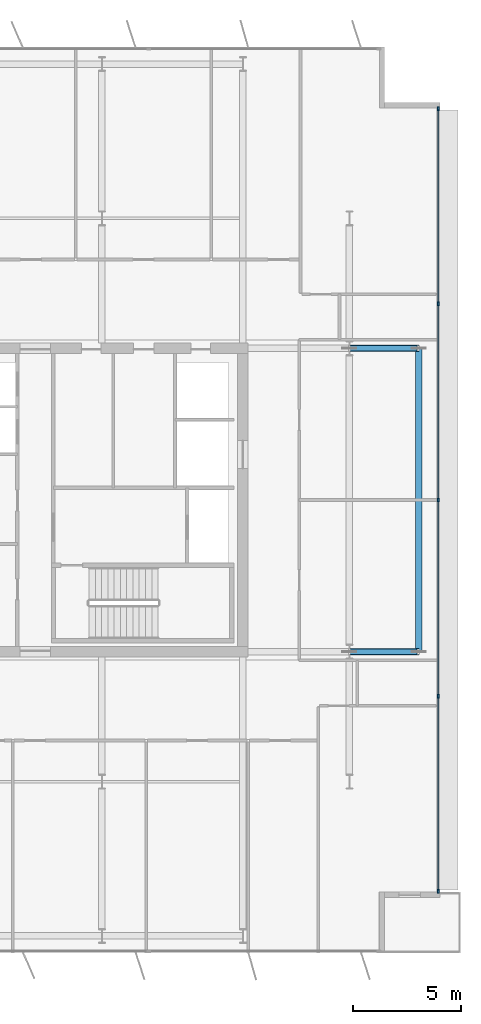
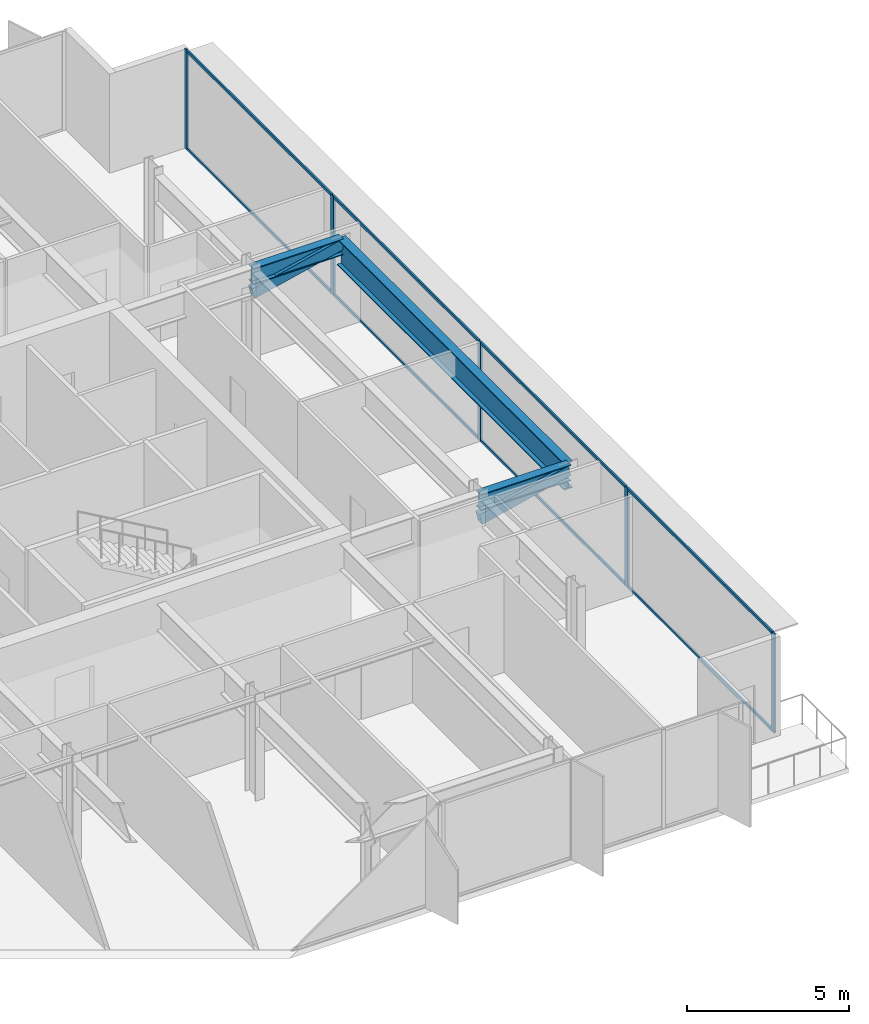
# One storey, part 10 of 20: 15 members, 3 beams, 1 element without a shape of its own.
"""IFC4 building model written with IfcOpenShell, lengths in metres."""

from ifc_helpers import new_model, si_unit, direction, frame, origin, origin_2d, place, context, subcontext, project, spatial, rectangle, hollow_rectangle, i_section, extrude, material, layer, layer_set, material_profile, profile_set, type_object, element, aggregate, save


model = new_model("IFC4")

# Units and contexts
model_context = context("Model", 3, precision=1e-05, world=origin(), true_north=direction((0.0, 1.0)))
body_context = subcontext(model_context, "Body", "Model", "MODEL_VIEW")
ifc_project = project(units=[si_unit("LENGTHUNIT", "METRE"), si_unit("AREAUNIT", "SQUARE_METRE"), si_unit("VOLUMEUNIT", "CUBIC_METRE"), si_unit("PLANEANGLEUNIT", "RADIAN"), si_unit("MASSUNIT", "GRAM", prefix="KILO")], contexts=[model_context])

# Site, building, storey
site_placement = place(None, origin())
site = spatial("IfcSite", under=ifc_project, at=site_placement, CompositionType="ELEMENT")
building_placement = place(site_placement, origin())
building = spatial("IfcBuilding", under=site, at=building_placement, Name="Putna Gate Headquarters", CompositionType="ELEMENT")
storey_placement = place(building_placement, frame((0.0, 0.0, 306.39990234375)))
storey = spatial("IfcBuildingStorey", under=building, at=storey_placement, Name="L77", CompositionType="ELEMENT", Elevation=306.39990234375)

# Beams
ifc_material_1 = material(Name="Steel S355J2", Category="steel")
ifc_material_profile_1 = material_profile(ifc_material_1, i_section(OverallWidth=0.300048828125, OverallDepth=0.60009765625, WebThickness=0.015380859375, FlangeThickness=0.030029296875, at=origin_2d()), Name="Steel S355J2")
ifc_profile_set_1 = profile_set([ifc_material_profile_1], Name="Steel S355J2")
beam_type_1 = type_object("IfcBeamType", Name="BM-GIRD-SAIL-HEB600", PredefinedType="USERDEFINED", material=ifc_profile_set_1)
for number, where, z_axis, x_axis, name in (
    (1, (69.926025390625, 19.0, 3.420166015625), (1.0, 0.0, 0.0), (0.0, 1.0, 0.0), "L77 East Sail Outrigger Bracket Y19"),
    (2, (69.926025390625, 33.0, 3.420166015625), (1.0, 0.0, 0.0), (0.0, 1.0, 0.0), "L77 East Sail Outrigger Bracket Y33"),
):
    element("IfcBeam", number, at=place(storey_placement, frame(where, z_axis=z_axis, x_axis=x_axis)), inside=storey, type_object=beam_type_1, Name=name, ObjectType="GIRDER", PredefinedType="USERDEFINED", context=body_context, shape_type="SweptSolid", body=[
        extrude(i_section(OverallWidth=0.300048828125, OverallDepth=0.60009765625, WebThickness=0.015380859375, FlangeThickness=0.030029296875, at=origin_2d()), origin(), (0.0, 0.0, 1.0), 3.194091796875),
    ])
ifc_material_2 = material(Name="Steel S460M", Category="steel")
ifc_material_profile_2 = material_profile(ifc_material_2, i_section(OverallWidth=0.302001953125, OverallDepth=1.008056640625, WebThickness=0.02099609375, FlangeThickness=0.0400390625, at=origin_2d()), Name="Steel S460M")
ifc_profile_set_2 = profile_set([ifc_material_profile_2], Name="Steel S460M")
beam_type_2 = type_object("IfcBeamType", Name="BM-TG-HEM1000-EXT", PredefinedType="USERDEFINED", material=ifc_profile_set_2)
beam_placement = place(storey_placement, frame((73.1201171875, 19.02001953125, 3.216064453125), z_axis=(0.0, 1.0, 0.0), x_axis=(-1.0, 0.0, 0.0)))
element("IfcBeam", 3, at=beam_placement, inside=storey, type_object=beam_type_2, Name="L77 East Sail Edge Spandrel", ObjectType="GIRDER", PredefinedType="USERDEFINED", context=body_context, shape_type="SweptSolid", body=[
    extrude(i_section(OverallWidth=0.302001953125, OverallDepth=1.008056640625, WebThickness=0.02099609375, FlangeThickness=0.0400390625, at=origin_2d()), origin(), (0.0, 0.0, 1.0), 13.9599609375),
])

# Members
ifc_material_profile_3 = material_profile(ifc_material_2, hollow_rectangle(XDim=0.25, YDim=0.39990234375, WallThickness=0.01611328125, at=origin_2d()), Name="Steel S460M")
ifc_profile_set_3 = profile_set([ifc_material_profile_3], Name="Steel S460M")
member_type_1 = type_object("IfcMemberType", Name="MEM-SAIL-BRACE-RHS400", PredefinedType="BRACE", material=ifc_profile_set_3)
for number, where, z_axis, x_axis, name in (
    (4, (69.9345703125, 19.0, 2.754638671875), (0.973528659294, 0.0, 0.228564978801), (0.0, 1.0, 0.0), "L77 East Sail Cantilever Raker Y19"),
    (5, (69.9345703125, 33.0, 2.754638671875), (0.973528659294, 0.0, 0.228564978801), (0.0, 1.0, 0.0), "L77 East Sail Cantilever Raker Y33"),
):
    element("IfcMember", number, at=place(storey_placement, frame(where, z_axis=z_axis, x_axis=x_axis)), inside=storey, type_object=member_type_1, Name=name, PredefinedType="BRACE", context=body_context, shape_type="SweptSolid", body=[
        extrude(hollow_rectangle(XDim=0.25, YDim=0.39990234375, WallThickness=0.01611328125, at=origin_2d()), origin(), (0.0, 0.0, 1.0), 3.24169921875),
    ])

# Curtain wall, members
ifc_material_3 = material(Name="Anodised bronze aluminium curtain wall", Category="aluminium")
ifc_layer = layer(ifc_material_3, 0.179931640625)
ifc_layer_set = layer_set([ifc_layer], Name="Anodised bronze aluminium curtain wall")
curtain_wall_type = type_object("IfcCurtainWallType", Name="CW-SYS-Z5", PredefinedType="USERDEFINED", material=ifc_layer_set)
curtain_wall_placement = place(storey_placement, origin())
curtain_wall = element("IfcCurtainWall", 6, at=curtain_wall_placement, inside=storey, type_object=curtain_wall_type, Name="L77 East Curtain Wall", ObjectType="STICK CURTAIN WALL", PredefinedType="USERDEFINED")
ifc_material_4 = material(Name="Anodised bronze aluminium EN AW-6060", Category="aluminium")
ifc_material_profile_4 = material_profile(ifc_material_4, rectangle(XDim=0.070068359375, YDim=0.179931640625, at=origin_2d()), Name="Anodised bronze aluminium EN AW-6060")
ifc_profile_set_4 = profile_set([ifc_material_profile_4], Name="Anodised bronze aluminium EN AW-6060")
member_type_2 = type_object("IfcMemberType", Name="MULL-CWM-5", PredefinedType="MULLION", material=ifc_profile_set_4)
member_1_placement = place(storey_placement, frame((74.02001953125, 7.93505859375, 0.0), z_axis=(0.0, 0.0, 1.0), x_axis=(-1.0, 0.0, 0.0)))
member_1 = element("IfcMember", 7, at=member_1_placement, type_object=member_type_2, Name="CWS-5 mullion 1", PredefinedType="MULLION", context=body_context, shape_type="SweptSolid", body=[
    extrude(rectangle(XDim=0.070068359375, YDim=0.179931640625, at=origin_2d()), origin(), (0.0, 0.0, 1.0), 3.72021484375),
])
member_2_placement = place(storey_placement, frame((74.02001953125, 16.949951171875, 0.0), z_axis=(0.0, 0.0, 1.0), x_axis=(-1.0, 0.0, 0.0)))
member_2 = element("IfcMember", 8, at=member_2_placement, type_object=member_type_2, Name="CWS-5 mullion 2", PredefinedType="MULLION", context=body_context, shape_type="SweptSolid", body=[
    extrude(rectangle(XDim=0.070068359375, YDim=0.179931640625, at=origin_2d()), origin(), (0.0, 0.0, 1.0), 3.72021484375),
])
member_3_placement = place(storey_placement, frame((74.02001953125, 26.0, 0.0), z_axis=(0.0, 0.0, 1.0), x_axis=(-1.0, 0.0, 0.0)))
member_3 = element("IfcMember", 9, at=member_3_placement, type_object=member_type_2, Name="CWS-5 mullion 3", PredefinedType="MULLION", context=body_context, shape_type="SweptSolid", body=[
    extrude(rectangle(XDim=0.070068359375, YDim=0.179931640625, at=origin_2d()), origin(), (0.0, 0.0, 1.0), 3.72021484375),
])
member_4_placement = place(storey_placement, frame((74.02001953125, 35.050048828125, 0.0), z_axis=(0.0, 0.0, 1.0), x_axis=(-1.0, 0.0, 0.0)))
member_4 = element("IfcMember", 10, at=member_4_placement, type_object=member_type_2, Name="CWS-5 mullion 4", PredefinedType="MULLION", context=body_context, shape_type="SweptSolid", body=[
    extrude(rectangle(XDim=0.070068359375, YDim=0.179931640625, at=origin_2d()), origin(), (0.0, 0.0, 1.0), 3.72021484375),
])
member_5_placement = place(storey_placement, frame((74.02001953125, 44.06494140625, 0.0), z_axis=(0.0, 0.0, 1.0), x_axis=(-1.0, 0.0, 0.0)))
member_5 = element("IfcMember", 11, at=member_5_placement, type_object=member_type_2, Name="CWS-5 mullion 5", PredefinedType="MULLION", context=body_context, shape_type="SweptSolid", body=[
    extrude(rectangle(XDim=0.070068359375, YDim=0.179931640625, at=origin_2d()), origin(), (0.0, 0.0, 1.0), 3.72021484375),
])
ifc_material_profile_5 = material_profile(ifc_material_4, rectangle(XDim=0.06005859375, YDim=0.10009765625, at=origin_2d()), Name="Anodised bronze aluminium EN AW-6060")
ifc_profile_set_5 = profile_set([ifc_material_profile_5], Name="Anodised bronze aluminium EN AW-6060")
member_type_3 = type_object("IfcMemberType", Name="TRAN-CWT-5", PredefinedType="USERDEFINED", material=ifc_profile_set_5)
member_6_placement = place(storey_placement, frame((74.02001953125, 7.969970703125, 0.030029296875), z_axis=(0.0, 1.0, 0.0), x_axis=(-1.0, 0.0, 0.0)))
member_6 = element("IfcMember", 12, at=member_6_placement, type_object=member_type_3, Name="CWS-5 transom 1.1", ObjectType="TRANSOM", PredefinedType="USERDEFINED", context=body_context, shape_type="SweptSolid", body=[
    extrude(rectangle(XDim=0.06005859375, YDim=0.10009765625, at=origin_2d()), origin(), (0.0, 0.0, 1.0), 8.945068359375),
])
member_7_placement = place(storey_placement, frame((74.02001953125, 7.969970703125, 3.690185546875), z_axis=(0.0, 1.0, 0.0), x_axis=(-1.0, 0.0, 0.0)))
member_7 = element("IfcMember", 13, at=member_7_placement, type_object=member_type_3, Name="CWS-5 transom 1.2", ObjectType="TRANSOM", PredefinedType="USERDEFINED", context=body_context, shape_type="SweptSolid", body=[
    extrude(rectangle(XDim=0.06005859375, YDim=0.10009765625, at=origin_2d()), origin(), (0.0, 0.0, 1.0), 8.945068359375),
])
member_8_placement = place(storey_placement, frame((74.02001953125, 16.985107421875, 0.030029296875), z_axis=(0.0, 1.0, 0.0), x_axis=(-1.0, 0.0, 0.0)))
member_8 = element("IfcMember", 14, at=member_8_placement, type_object=member_type_3, Name="CWS-5 transom 2.1", ObjectType="TRANSOM", PredefinedType="USERDEFINED", context=body_context, shape_type="SweptSolid", body=[
    extrude(rectangle(XDim=0.06005859375, YDim=0.10009765625, at=origin_2d()), origin(), (0.0, 0.0, 1.0), 8.97998046875),
])
member_9_placement = place(storey_placement, frame((74.02001953125, 16.985107421875, 3.690185546875), z_axis=(0.0, 1.0, 0.0), x_axis=(-1.0, 0.0, 0.0)))
member_9 = element("IfcMember", 15, at=member_9_placement, type_object=member_type_3, Name="CWS-5 transom 2.2", ObjectType="TRANSOM", PredefinedType="USERDEFINED", context=body_context, shape_type="SweptSolid", body=[
    extrude(rectangle(XDim=0.06005859375, YDim=0.10009765625, at=origin_2d()), origin(), (0.0, 0.0, 1.0), 8.97998046875),
])
member_10_placement = place(storey_placement, frame((74.02001953125, 26.034912109375, 0.030029296875), z_axis=(0.0, 1.0, 0.0), x_axis=(-1.0, 0.0, 0.0)))
member_10 = element("IfcMember", 16, at=member_10_placement, type_object=member_type_3, Name="CWS-5 transom 3.1", ObjectType="TRANSOM", PredefinedType="USERDEFINED", context=body_context, shape_type="SweptSolid", body=[
    extrude(rectangle(XDim=0.06005859375, YDim=0.10009765625, at=origin_2d()), origin(), (0.0, 0.0, 1.0), 8.97998046875),
])
member_11_placement = place(storey_placement, frame((74.02001953125, 26.034912109375, 3.690185546875), z_axis=(0.0, 1.0, 0.0), x_axis=(-1.0, 0.0, 0.0)))
member_11 = element("IfcMember", 17, at=member_11_placement, type_object=member_type_3, Name="CWS-5 transom 3.2", ObjectType="TRANSOM", PredefinedType="USERDEFINED", context=body_context, shape_type="SweptSolid", body=[
    extrude(rectangle(XDim=0.06005859375, YDim=0.10009765625, at=origin_2d()), origin(), (0.0, 0.0, 1.0), 8.97998046875),
])
member_12_placement = place(storey_placement, frame((74.02001953125, 35.0849609375, 0.030029296875), z_axis=(0.0, 1.0, 0.0), x_axis=(-1.0, 0.0, 0.0)))
member_12 = element("IfcMember", 18, at=member_12_placement, type_object=member_type_3, Name="CWS-5 transom 4.1", ObjectType="TRANSOM", PredefinedType="USERDEFINED", context=body_context, shape_type="SweptSolid", body=[
    extrude(rectangle(XDim=0.06005859375, YDim=0.10009765625, at=origin_2d()), origin(), (0.0, 0.0, 1.0), 8.945068359375),
])
member_13_placement = place(storey_placement, frame((74.02001953125, 35.0849609375, 3.690185546875), z_axis=(0.0, 1.0, 0.0), x_axis=(-1.0, 0.0, 0.0)))
member_13 = element("IfcMember", 19, at=member_13_placement, type_object=member_type_3, Name="CWS-5 transom 4.2", ObjectType="TRANSOM", PredefinedType="USERDEFINED", context=body_context, shape_type="SweptSolid", body=[
    extrude(rectangle(XDim=0.06005859375, YDim=0.10009765625, at=origin_2d()), origin(), (0.0, 0.0, 1.0), 8.945068359375),
])
aggregate(curtain_wall, [member_1, member_2, member_3, member_4, member_5, member_6, member_7, member_8, member_9, member_10, member_11, member_12, member_13])

save(model, "model.ifc")
